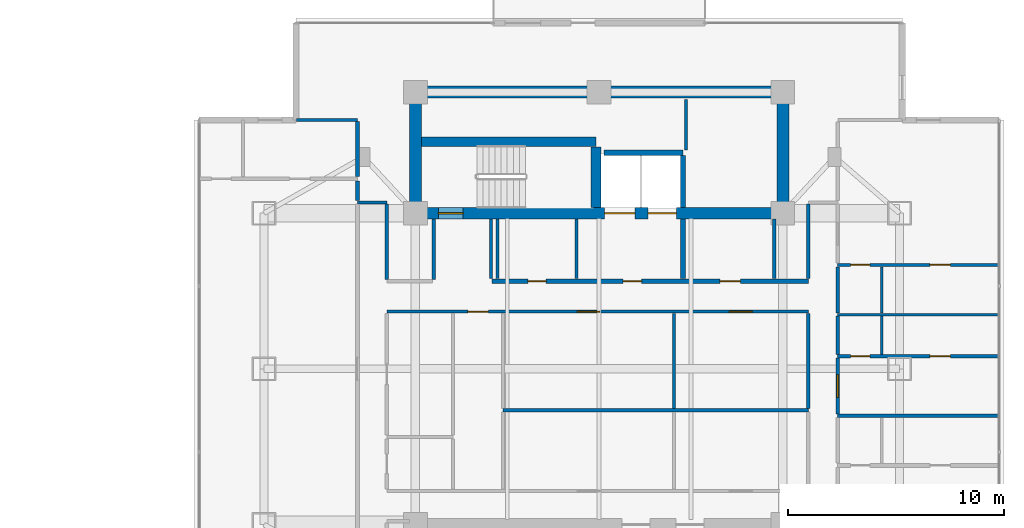
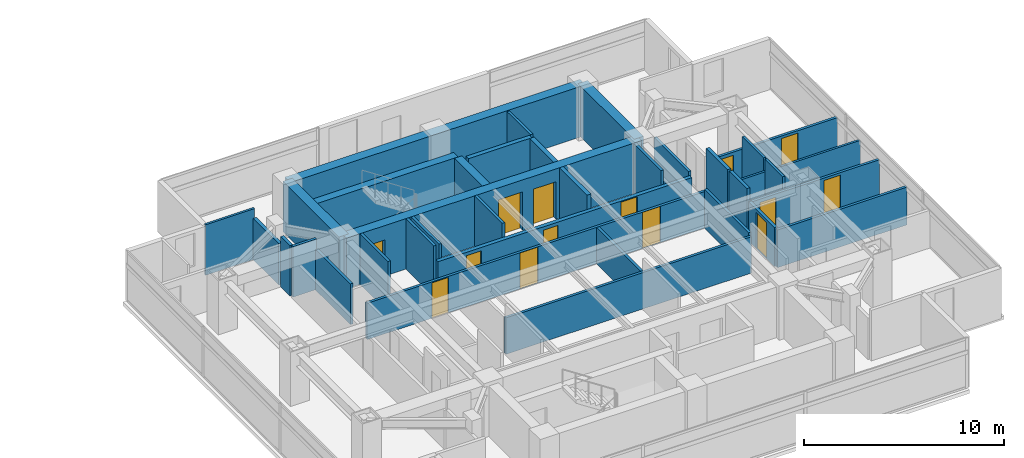
# One storey, part 18 of 24: 35 walls, 14 doors, 14 openings.
"""IFC4 building model written with IfcOpenShell, lengths in metres."""

from ifc_helpers import new_model, si_unit, direction, frame, frame_2d, origin, place, context, subcontext, project, spatial, rectangle, extrude, material, layer, layer_set, type_object, element, fill, save


model = new_model("IFC4")

# Units and contexts
model_context = context("Model", 3, precision=1e-05, world=origin(), true_north=direction((0.0, 1.0)))
body_context = subcontext(model_context, "Body", "Model", "MODEL_VIEW")
ifc_project = project(units=[si_unit("LENGTHUNIT", "METRE"), si_unit("AREAUNIT", "SQUARE_METRE"), si_unit("VOLUMEUNIT", "CUBIC_METRE"), si_unit("PLANEANGLEUNIT", "RADIAN"), si_unit("MASSUNIT", "GRAM", prefix="KILO")], contexts=[model_context])

# Site, building, storey
site_placement = place(None, origin())
site = spatial("IfcSite", under=ifc_project, at=site_placement, CompositionType="ELEMENT")
building_placement = place(site_placement, origin())
building = spatial("IfcBuilding", under=site, at=building_placement, Name="Mirazonda Arch Towers", CompositionType="ELEMENT")
storey_placement = place(building_placement, frame((0.0, 0.0, 141.199951171875)))
storey = spatial("IfcBuildingStorey", under=building, at=storey_placement, Name="L40", CompositionType="ELEMENT", Elevation=141.199951171875)

# Walls
ifc_material_1 = material(Name="Concrete C50/60", Category="concrete")
ifc_layer_1 = layer(ifc_material_1, 0.449951171875, Name="WALL-CORE-450")
ifc_layer_set_1 = layer_set([ifc_layer_1], Name="Concrete C50/60")
wall_type_1 = type_object("IfcWallType", Name="WALL-CORE-450", PredefinedType="SHEAR", material=ifc_layer_set_1)
wall_1_placement = place(storey_placement, frame((68.27001953125, 38.5, 0.0), z_axis=(0.0, 0.0, 1.0), x_axis=(1.0, 0.0, 0.0)))
element("IfcWall", 1, at=wall_1_placement, inside=storey, type_object=wall_type_1, Name="L40 Stair Core Shear Wall 055", PredefinedType="SHEAR", context=body_context, shape_type="SweptSolid", body=[
    extrude(rectangle(XDim=8.090087890625, YDim=0.449951171875, at=frame_2d((4.044921875, 0.0))), origin(), (0.0, 0.0, 1.0), 3.080078125),
])
wall_2_placement = place(storey_placement, frame((76.360107421875, 35.469970703125, 0.0), z_axis=(0.0, 0.0, 1.0), x_axis=(0.0, 1.0, 0.0)))
element("IfcWall", 2, at=wall_2_placement, inside=storey, type_object=wall_type_1, Name="L40 Stair Core Shear Wall 138", PredefinedType="SHEAR", context=body_context, shape_type="SweptSolid", body=[
    extrude(rectangle(XDim=2.794921875, YDim=0.449951171875, at=frame_2d((1.3974609375, 0.0))), origin(), (0.0, 0.0, 1.0), 3.080078125),
])
ifc_layer_2 = layer(ifc_material_1, 0.550048828125, Name="WALL-CORE-550")
ifc_layer_set_2 = layer_set([ifc_layer_2], Name="Concrete C50/60")
wall_type_2 = type_object("IfcWallType", Name="WALL-CORE-550", PredefinedType="SHEAR", material=ifc_layer_set_2)
wall_3_placement = place(storey_placement, frame((68.0, 40.800048828125, 0.0), z_axis=(0.0, 0.0, 1.0), x_axis=(1.0, 0.0, 0.0)))
element("IfcWall", 3, at=wall_3_placement, inside=storey, type_object=wall_type_2, Name="L40 T2N-N Core Shear Wall", PredefinedType="SHEAR", context=body_context, shape_type="SweptSolid", body=[
    extrude(rectangle(XDim=17.0, YDim=0.550048828125, at=frame_2d((8.5, 0.0))), origin(), (0.0, 0.0, 1.0), 3.080078125),
])
for number, where, z_axis, x_axis, name in (
    (4, (68.0, 35.199951171875, 0.0), (0.0, 0.0, 1.0), (0.0, 1.0, 0.0), "L40 T2N-W Core Shear Wall"),
    (5, (85.0, 35.199951171875, 0.0), (0.0, 0.0, 1.0), (0.0, 1.0, 0.0), "L40 T2N-E Core Shear Wall"),
):
    element("IfcWall", number, at=place(storey_placement, frame(where, z_axis=z_axis, x_axis=x_axis)), inside=storey, type_object=wall_type_2, Name=name, PredefinedType="SHEAR", context=body_context, shape_type="SweptSolid", body=[
        extrude(rectangle(XDim=5.60009765625, YDim=0.550048828125, at=frame_2d((2.800048828125, 0.0))), origin(), (0.0, 0.0, 1.0), 3.080078125),
    ])

# Wall, openings, doors
wall_4_placement = place(storey_placement, frame((68.0, 35.199951171875, 0.0), z_axis=(0.0, 0.0, 1.0), x_axis=(1.0, 0.0, 0.0)))
wall_4 = element("IfcWall", 6, at=wall_4_placement, inside=storey, type_object=wall_type_2, Name="L40 T2N-S Core Shear Wall", PredefinedType="SHEAR", context=body_context, shape_type="SweptSolid", body=[
    extrude(rectangle(XDim=17.0, YDim=0.550048828125, at=frame_2d((8.5, 0.0))), origin(), (0.0, 0.0, 1.0), 3.080078125),
])
opening_1_placement = place(wall_4_placement, frame((1.06005859375, 0.0, 0.0)))
opening_1 = element("IfcOpeningElement", 7, at=opening_1_placement, cuts=wall_4, Name="Opening DR-135", PredefinedType="OPENING", context=body_context, shape_type="SweptSolid", body=[
    extrude(rectangle(XDim=1.14990234375, YDim=2.199951171875, at=frame_2d((0.574951171875, 1.10009765625))), frame((0.0, 0.284912109375, 0.0), z_axis=(0.0, -1.0, 0.0), x_axis=(1.0, 0.0, 0.0)), (0.0, 0.0, 1.0), 0.570068359375),
])
opening_2_placement = place(wall_4_placement, frame((8.75, 0.0, 0.0)))
opening_2 = element("IfcOpeningElement", 8, at=opening_2_placement, cuts=wall_4, Name="Opening LD-112", PredefinedType="OPENING", context=body_context, shape_type="SweptSolid", body=[
    extrude(rectangle(XDim=1.39990234375, YDim=2.35009765625, at=frame_2d((0.699951171875, 1.175048828125))), frame((0.0, 0.284912109375, 0.0), z_axis=(0.0, -1.0, 0.0), x_axis=(1.0, 0.0, 0.0)), (0.0, 0.0, 1.0), 0.570068359375),
])
opening_3_placement = place(wall_4_placement, frame((10.77001953125, 0.0, 0.0)))
opening_3 = element("IfcOpeningElement", 9, at=opening_3_placement, cuts=wall_4, Name="Opening LD-111", PredefinedType="OPENING", context=body_context, shape_type="SweptSolid", body=[
    extrude(rectangle(XDim=1.300048828125, YDim=2.300048828125, at=frame_2d((0.64990234375, 1.14990234375))), frame((0.0, 0.284912109375, 0.0), z_axis=(0.0, -1.0, 0.0), x_axis=(1.0, 0.0, 0.0)), (0.0, 0.0, 1.0), 0.570068359375),
])
ifc_material_2 = material(Name="Architectural Brushed Steel S355", Category="steel")
door_type_1 = type_object("IfcDoorType", Name="DOOR-LIFT-FFL-1400", OperationType="NOTDEFINED", PredefinedType="DOOR", material=ifc_material_2)
door_1_placement = place(opening_2_placement, origin())
door_1 = element("IfcDoor", 10, at=door_1_placement, inside=storey, type_object=door_type_1, Name="L40 Lift Landing Sliding Door FFL-T2", OperationType="DOUBLE_DOOR_SLIDING", OverallHeight=2.35009765625, OverallWidth=1.39990234375, PredefinedType="DOOR", context=body_context, shape_type="SweptSolid", body=[
    extrude(rectangle(XDim=1.39990234375, YDim=2.35009765625, at=frame_2d((0.699951171875, 1.175048828125))), frame((0.0, 0.02490234375, 0.0), z_axis=(0.0, -1.0, 0.0), x_axis=(1.0, 0.0, 0.0)), (0.0, 0.0, 1.0), 0.050048828125),
])
fill(opening_2, door_1)
door_type_2 = type_object("IfcDoorType", Name="DOOR-LIFT-LAND-1300", OperationType="NOTDEFINED", PredefinedType="DOOR", material=ifc_material_2)
door_2_placement = place(opening_3_placement, origin())
door_2 = element("IfcDoor", 11, at=door_2_placement, inside=storey, type_object=door_type_2, Name="L40 Lift Landing Sliding Door SVL-T2", OperationType="DOUBLE_DOOR_SLIDING", OverallHeight=2.300048828125, OverallWidth=1.300048828125, PredefinedType="DOOR", context=body_context, shape_type="SweptSolid", body=[
    extrude(rectangle(XDim=1.300048828125, YDim=2.300048828125, at=frame_2d((0.64990234375, 1.14990234375))), frame((0.0, 0.02490234375, 0.0), z_axis=(0.0, -1.0, 0.0), x_axis=(1.0, 0.0, 0.0)), (0.0, 0.0, 1.0), 0.050048828125),
])
fill(opening_3, door_2)
door_type_3 = type_object("IfcDoorType", Name="DOOR-STAIR-FD90-1150", OperationType="NOTDEFINED", PredefinedType="DOOR", material=ifc_material_2)
door_3_placement = place(opening_1_placement, origin())
door_3 = element("IfcDoor", 12, at=door_3_placement, inside=storey, type_object=door_type_3, Name="L40 East Protected Stair North Door", OperationType="SINGLE_SWING_LEFT", OverallHeight=2.199951171875, OverallWidth=1.14990234375, PredefinedType="DOOR", context=body_context, shape_type="SweptSolid", body=[
    extrude(rectangle(XDim=1.14990234375, YDim=2.199951171875, at=frame_2d((0.574951171875, 1.10009765625))), frame((0.0, 0.02490234375, 0.0), z_axis=(0.0, -1.0, 0.0), x_axis=(1.0, 0.0, 0.0)), (0.0, 0.0, 1.0), 0.050048828125),
])
fill(opening_1, door_3)

ifc_material_3 = material(Name="Concrete C40/50", Category="concrete")
ifc_layer_3 = layer(ifc_material_3, 0.219970703125, Name="WALL-FFL-220")
ifc_layer_set_3 = layer_set([ifc_layer_3], Name="Concrete C40/50")
wall_type_3 = type_object("IfcWallType", Name="WALL-FFL-220", PredefinedType="SOLIDWALL", material=ifc_layer_set_3)
wall_5_placement = place(storey_placement, frame((71.550048828125, 32.050048828125, 0.0), z_axis=(0.0, 0.0, 1.0), x_axis=(1.0, 0.0, 0.0)))
wall_5 = element("IfcWall", 13, at=wall_5_placement, inside=storey, type_object=wall_type_3, Name="L40 Interior Partition 043", PredefinedType="SOLIDWALL", context=body_context, shape_type="SweptSolid", body=[
    extrude(rectangle(XDim=14.6298828125, YDim=0.219970703125, at=frame_2d((7.31494140625, 0.0))), origin(), (0.0, 0.0, 1.0), 2.216064453125),
])
opening_4_placement = place(wall_5_placement, frame((6.06494140625, 0.0, 0.0)))
opening_4 = element("IfcOpeningElement", 14, at=opening_4_placement, cuts=wall_5, Name="Opening DR-128", PredefinedType="OPENING", context=body_context, shape_type="SweptSolid", body=[
    extrude(rectangle(XDim=0.85009765625, YDim=2.010009765625, at=frame_2d((0.425048828125, 1.0048828125))), frame((0.0, 0.119873046875, 0.0), z_axis=(0.0, -1.0, 0.0), x_axis=(1.0, 0.0, 0.0)), (0.0, 0.0, 1.0), 0.239990234375),
])
opening_5_placement = place(wall_5_placement, frame((10.534912109375, 0.0, 0.0)))
opening_5 = element("IfcOpeningElement", 15, at=opening_5_placement, cuts=wall_5, Name="Opening DR-104", PredefinedType="OPENING", context=body_context, shape_type="SweptSolid", body=[
    extrude(rectangle(XDim=0.949951171875, YDim=2.14990234375, at=frame_2d((0.47509765625, 1.074951171875))), frame((0.0, 0.119873046875, 0.0), z_axis=(0.0, -1.0, 0.0), x_axis=(1.0, 0.0, 0.0)), (0.0, 0.0, 1.0), 0.239990234375),
])
opening_6_placement = place(wall_5_placement, frame((1.64990234375, 0.0, 0.0)))
opening_6 = element("IfcOpeningElement", 16, at=opening_6_placement, cuts=wall_5, Name="Opening DR-128", PredefinedType="OPENING", context=body_context, shape_type="SweptSolid", body=[
    extrude(rectangle(XDim=0.85009765625, YDim=2.010009765625, at=frame_2d((0.425048828125, 1.0048828125))), frame((0.0, 0.119873046875, 0.0), z_axis=(0.0, -1.0, 0.0), x_axis=(1.0, 0.0, 0.0)), (0.0, 0.0, 1.0), 0.239990234375),
])
door_type_4 = type_object("IfcDoorType", Name="DOOR-RISER-FD60-850", OperationType="NOTDEFINED", PredefinedType="DOOR", material=ifc_material_2)
door_4_placement = place(opening_4_placement, origin())
door_4 = element("IfcDoor", 17, at=door_4_placement, inside=storey, type_object=door_type_4, Name="L40 East Firefighting Lift Lobby Door", OperationType="SINGLE_SWING_RIGHT", OverallHeight=2.010009765625, OverallWidth=0.85009765625, PredefinedType="DOOR", context=body_context, shape_type="SweptSolid", body=[
    extrude(rectangle(XDim=0.85009765625, YDim=2.010009765625, at=frame_2d((0.425048828125, 1.0048828125))), frame((0.0, 0.02490234375, 0.0), z_axis=(0.0, -1.0, 0.0), x_axis=(1.0, 0.0, 0.0)), (0.0, 0.0, 1.0), 0.050048828125),
])
fill(opening_4, door_4)
door_5_placement = place(opening_6_placement, origin())
door_5 = element("IfcDoor", 18, at=door_5_placement, inside=storey, type_object=door_type_4, Name="L40 Tower 2 Housekeeping & Linen Room Door", OperationType="SINGLE_SWING_RIGHT", OverallHeight=2.010009765625, OverallWidth=0.85009765625, PredefinedType="DOOR", context=body_context, shape_type="SweptSolid", body=[
    extrude(rectangle(XDim=0.85009765625, YDim=2.010009765625, at=frame_2d((0.425048828125, 1.0048828125))), frame((0.0, 0.02490234375, 0.0), z_axis=(0.0, -1.0, 0.0), x_axis=(1.0, 0.0, 0.0)), (0.0, 0.0, 1.0), 0.050048828125),
])
fill(opening_6, door_5)
door_type_5 = type_object("IfcDoorType", Name="DOOR-ROOM-950", OperationType="NOTDEFINED", PredefinedType="DOOR", material=ifc_material_2)
door_6_placement = place(opening_5_placement, origin())
door_6 = element("IfcDoor", 19, at=door_6_placement, inside=storey, type_object=door_type_5, Name="L40 East Sky Reading Library Door", OperationType="SINGLE_SWING_LEFT", OverallHeight=2.14990234375, OverallWidth=0.949951171875, PredefinedType="DOOR", context=body_context, shape_type="SweptSolid", body=[
    extrude(rectangle(XDim=0.949951171875, YDim=2.14990234375, at=frame_2d((0.47509765625, 1.074951171875))), frame((0.0, 0.02490234375, 0.0), z_axis=(0.0, -1.0, 0.0), x_axis=(1.0, 0.0, 0.0)), (0.0, 0.0, 1.0), 0.050048828125),
])
fill(opening_5, door_6)

# Walls
wall_6_placement = place(storey_placement, frame((80.3798828125, 32.169921875, 0.0), z_axis=(0.0, 0.0, 1.0), x_axis=(0.0, 1.0, 0.0)))
element("IfcWall", 20, at=wall_6_placement, inside=storey, type_object=wall_type_3, Name="L40 Interior Partition 142", PredefinedType="SOLIDWALL", context=body_context, shape_type="SweptSolid", body=[
    extrude(rectangle(XDim=2.760009765625, YDim=0.219970703125, at=frame_2d((1.3798828125, 0.0))), origin(), (0.0, 0.0, 1.0), 3.080078125),
])
ifc_material_4 = material(Name="Fire-Rated Gypsum Stud Partition")
ifc_layer_4 = layer(ifc_material_4, 0.14990234375, Name="WALL-PART-CORR-150")
ifc_layer_set_4 = layer_set([ifc_layer_4], Name="Fire-Rated Gypsum Stud Partition")
wall_type_4 = type_object("IfcWallType", Name="WALL-PART-CORR-150", PredefinedType="PARTITIONING", material=ifc_layer_set_4)
wall_7_placement = place(storey_placement, frame((87.5400390625, 25.833984375, 0.0), z_axis=(0.0, 0.0, 1.0), x_axis=(1.0, 0.0, 0.0)))
element("IfcWall", 21, at=wall_7_placement, inside=storey, type_object=wall_type_4, Name="L40 Interior Partition 031", PredefinedType="PARTITIONING", context=body_context, shape_type="SweptSolid", body=[
    extrude(rectangle(XDim=7.470947265625, YDim=0.14990234375, at=frame_2d((3.7353515625, 0.0))), origin(), (0.0, 0.0, 1.0), 2.299072265625),
])
wall_8_placement = place(storey_placement, frame((72.050048828125, 26.0849609375, 0.0), z_axis=(0.0, 0.0, 1.0), x_axis=(1.0, 0.0, 0.0)))
element("IfcWall", 22, at=wall_8_placement, inside=storey, type_object=wall_type_4, Name="L40 Interior Partition 032", PredefinedType="PARTITIONING", context=body_context, shape_type="SweptSolid", body=[
    extrude(rectangle(XDim=14.1298828125, YDim=0.14990234375, at=frame_2d((7.06494140625, 0.0))), origin(), (0.0, 0.0, 1.0), 2.216064453125),
])

# Wall, openings, doors
wall_9_placement = place(storey_placement, frame((87.5400390625, 28.587890625, 0.0), z_axis=(0.0, 0.0, 1.0), x_axis=(1.0, 0.0, 0.0)))
wall_9 = element("IfcWall", 23, at=wall_9_placement, inside=storey, type_object=wall_type_4, Name="L40 Interior Partition 037", PredefinedType="PARTITIONING", context=body_context, shape_type="SweptSolid", body=[
    extrude(rectangle(XDim=7.470947265625, YDim=0.14990234375, at=frame_2d((3.7353515625, 0.0))), origin(), (0.0, 0.0, 1.0), 2.299072265625),
])
opening_7_placement = place(wall_9_placement, frame((4.260498046875, 0.0, 0.0)))
opening_7 = element("IfcOpeningElement", 24, at=opening_7_placement, cuts=wall_9, Name="Opening DR-104", PredefinedType="OPENING", context=body_context, shape_type="SweptSolid", body=[
    extrude(rectangle(XDim=0.949951171875, YDim=2.14990234375, at=frame_2d((0.47509765625, 1.074951171875))), frame((0.0, 0.0849609375, 0.0), z_axis=(0.0, -1.0, 0.0), x_axis=(1.0, 0.0, 0.0)), (0.0, 0.0, 1.0), 0.169921875),
])
opening_8_placement = place(wall_9_placement, frame((0.590087890625, 0.0, 0.0)))
opening_8 = element("IfcOpeningElement", 25, at=opening_8_placement, cuts=wall_9, Name="Opening DR-120", PredefinedType="OPENING", context=body_context, shape_type="SweptSolid", body=[
    extrude(rectangle(XDim=0.89990234375, YDim=2.10009765625, at=frame_2d((0.449951171875, 1.050048828125))), frame((0.0, 0.0849609375, 0.0), z_axis=(0.0, -1.0, 0.0), x_axis=(1.0, 0.0, 0.0)), (0.0, 0.0, 1.0), 0.169921875),
])
door_7_placement = place(opening_7_placement, origin())
door_7 = element("IfcDoor", 26, at=door_7_placement, inside=storey, type_object=door_type_5, Name="L40 Guestroom Study 2 Door", OperationType="SINGLE_SWING_RIGHT", OverallHeight=2.14990234375, OverallWidth=0.949951171875, PredefinedType="DOOR", context=body_context, shape_type="SweptSolid", body=[
    extrude(rectangle(XDim=0.949951171875, YDim=2.14990234375, at=frame_2d((0.47509765625, 1.074951171875))), frame((0.0, 0.02490234375, 0.0), z_axis=(0.0, -1.0, 0.0), x_axis=(1.0, 0.0, 0.0)), (0.0, 0.0, 1.0), 0.050048828125),
])
fill(opening_7, door_7)
door_type_6 = type_object("IfcDoorType", Name="DOOR-WC-900", OperationType="NOTDEFINED", PredefinedType="DOOR", material=ifc_material_2)
door_8_placement = place(opening_8_placement, origin())
door_8 = element("IfcDoor", 27, at=door_8_placement, inside=storey, type_object=door_type_6, Name="L40 En-Suite Bathroom 2 Door", OperationType="SINGLE_SWING_LEFT", OverallHeight=2.10009765625, OverallWidth=0.89990234375, PredefinedType="DOOR", context=body_context, shape_type="SweptSolid", body=[
    extrude(rectangle(XDim=0.89990234375, YDim=2.10009765625, at=frame_2d((0.449951171875, 1.050048828125))), frame((0.0, 0.02490234375, 0.0), z_axis=(0.0, -1.0, 0.0), x_axis=(1.0, 0.0, 0.0)), (0.0, 0.0, 1.0), 0.050048828125),
])
fill(opening_8, door_8)

wall_10_placement = place(storey_placement, frame((66.679931640625, 30.64990234375, 0.0), z_axis=(0.0, 0.0, 1.0), x_axis=(1.0, 0.0, 0.0)))
wall_10 = element("IfcWall", 28, at=wall_10_placement, inside=storey, type_object=wall_type_4, Name="L40 Interior Partition 039", PredefinedType="PARTITIONING", context=body_context, shape_type="SweptSolid", body=[
    extrude(rectangle(XDim=19.5, YDim=0.14990234375, at=frame_2d((9.75, 0.0))), origin(), (0.0, 0.0, 1.0), 2.216064453125),
])
opening_9_placement = place(wall_10_placement, frame((3.7451171875, 0.0, 0.0)))
opening_9 = element("IfcOpeningElement", 29, at=opening_9_placement, cuts=wall_10, Name="Opening DR-104", PredefinedType="OPENING", context=body_context, shape_type="SweptSolid", body=[
    extrude(rectangle(XDim=0.949951171875, YDim=2.14990234375, at=frame_2d((0.47509765625, 1.074951171875))), frame((0.0, 0.0849609375, 0.0), z_axis=(0.0, -1.0, 0.0), x_axis=(1.0, 0.0, 0.0)), (0.0, 0.0, 1.0), 0.169921875),
])
opening_10_placement = place(wall_10_placement, frame((8.801513671875, 0.0, 0.0)))
opening_10 = element("IfcOpeningElement", 30, at=opening_10_placement, cuts=wall_10, Name="Opening DR-121", PredefinedType="OPENING", context=body_context, shape_type="SweptSolid", body=[
    extrude(rectangle(XDim=1.050048828125, YDim=2.199951171875, at=frame_2d((0.52490234375, 1.10009765625))), frame((0.0, 0.0849609375, 0.0), z_axis=(0.0, -1.0, 0.0), x_axis=(1.0, 0.0, 0.0)), (0.0, 0.0, 1.0), 0.169921875),
])
opening_11_placement = place(wall_10_placement, frame((15.846435546875, 0.0, 0.0)))
opening_11 = element("IfcOpeningElement", 31, at=opening_11_placement, cuts=wall_10, Name="Opening DR-121", PredefinedType="OPENING", context=body_context, shape_type="SweptSolid", body=[
    extrude(rectangle(XDim=1.050048828125, YDim=2.199951171875, at=frame_2d((0.52490234375, 1.10009765625))), frame((0.0, 0.0849609375, 0.0), z_axis=(0.0, -1.0, 0.0), x_axis=(1.0, 0.0, 0.0)), (0.0, 0.0, 1.0), 0.169921875),
])
door_9_placement = place(opening_9_placement, origin())
door_9 = element("IfcDoor", 32, at=door_9_placement, inside=storey, type_object=door_type_5, Name="L40 L40 East Courtyard Study Door", OperationType="SINGLE_SWING_RIGHT", OverallHeight=2.14990234375, OverallWidth=0.949951171875, PredefinedType="DOOR", context=body_context, shape_type="SweptSolid", body=[
    extrude(rectangle(XDim=0.949951171875, YDim=2.14990234375, at=frame_2d((0.47509765625, 1.074951171875))), frame((0.0, 0.02490234375, 0.0), z_axis=(0.0, -1.0, 0.0), x_axis=(1.0, 0.0, 0.0)), (0.0, 0.0, 1.0), 0.050048828125),
])
fill(opening_9, door_9)
door_type_7 = type_object("IfcDoorType", Name="DOOR-SUITE-FD60-1050", OperationType="NOTDEFINED", PredefinedType="DOOR", material=ifc_material_2)
door_10_placement = place(opening_10_placement, origin())
door_10 = element("IfcDoor", 33, at=door_10_placement, inside=storey, type_object=door_type_7, Name="L40 Concierge Salon Door", OperationType="SINGLE_SWING_LEFT", OverallHeight=2.199951171875, OverallWidth=1.050048828125, PredefinedType="DOOR", context=body_context, shape_type="SweptSolid", body=[
    extrude(rectangle(XDim=1.050048828125, YDim=2.199951171875, at=frame_2d((0.52490234375, 1.10009765625))), frame((0.0, 0.02490234375, 0.0), z_axis=(0.0, -1.0, 0.0), x_axis=(1.0, 0.0, 0.0)), (0.0, 0.0, 1.0), 0.050048828125),
])
fill(opening_10, door_10)
door_11_placement = place(opening_11_placement, origin())
door_11 = element("IfcDoor", 34, at=door_11_placement, inside=storey, type_object=door_type_7, Name="L40 Private Meeting Suite Door", OperationType="SINGLE_SWING_RIGHT", OverallHeight=2.199951171875, OverallWidth=1.050048828125, PredefinedType="DOOR", context=body_context, shape_type="SweptSolid", body=[
    extrude(rectangle(XDim=1.050048828125, YDim=2.199951171875, at=frame_2d((0.52490234375, 1.10009765625))), frame((0.0, 0.02490234375, 0.0), z_axis=(0.0, -1.0, 0.0), x_axis=(1.0, 0.0, 0.0)), (0.0, 0.0, 1.0), 0.050048828125),
])
fill(opening_11, door_11)

wall_11_placement = place(storey_placement, frame((87.5400390625, 32.80810546875, 0.0), z_axis=(0.0, 0.0, 1.0), x_axis=(1.0, 0.0, 0.0)))
wall_11 = element("IfcWall", 35, at=wall_11_placement, inside=storey, type_object=wall_type_4, Name="L40 Interior Partition 044", PredefinedType="PARTITIONING", context=body_context, shape_type="SweptSolid", body=[
    extrude(rectangle(XDim=7.470947265625, YDim=0.14990234375, at=frame_2d((3.7353515625, 0.0))), origin(), (0.0, 0.0, 1.0), 2.299072265625),
])
opening_12_placement = place(wall_11_placement, frame((4.260498046875, 0.0, 0.0)))
opening_12 = element("IfcOpeningElement", 36, at=opening_12_placement, cuts=wall_11, Name="Opening DR-104", PredefinedType="OPENING", context=body_context, shape_type="SweptSolid", body=[
    extrude(rectangle(XDim=0.949951171875, YDim=2.14990234375, at=frame_2d((0.47509765625, 1.074951171875))), frame((0.0, 0.0849609375, 0.0), z_axis=(0.0, -1.0, 0.0), x_axis=(1.0, 0.0, 0.0)), (0.0, 0.0, 1.0), 0.169921875),
])
opening_13_placement = place(wall_11_placement, frame((0.590087890625, 0.0, 0.0)))
opening_13 = element("IfcOpeningElement", 37, at=opening_13_placement, cuts=wall_11, Name="Opening DR-120", PredefinedType="OPENING", context=body_context, shape_type="SweptSolid", body=[
    extrude(rectangle(XDim=0.89990234375, YDim=2.10009765625, at=frame_2d((0.449951171875, 1.050048828125))), frame((0.0, 0.0849609375, 0.0), z_axis=(0.0, -1.0, 0.0), x_axis=(1.0, 0.0, 0.0)), (0.0, 0.0, 1.0), 0.169921875),
])
door_12_placement = place(opening_12_placement, origin())
door_12 = element("IfcDoor", 38, at=door_12_placement, inside=storey, type_object=door_type_5, Name="L40 Guestroom Study 3 Door", OperationType="SINGLE_SWING_LEFT", OverallHeight=2.14990234375, OverallWidth=0.949951171875, PredefinedType="DOOR", context=body_context, shape_type="SweptSolid", body=[
    extrude(rectangle(XDim=0.949951171875, YDim=2.14990234375, at=frame_2d((0.47509765625, 1.074951171875))), frame((0.0, 0.02490234375, 0.0), z_axis=(0.0, -1.0, 0.0), x_axis=(1.0, 0.0, 0.0)), (0.0, 0.0, 1.0), 0.050048828125),
])
fill(opening_12, door_12)
door_13_placement = place(opening_13_placement, origin())
door_13 = element("IfcDoor", 39, at=door_13_placement, inside=storey, type_object=door_type_6, Name="L40 En-Suite Bathroom 3 Door", OperationType="SINGLE_SWING_RIGHT", OverallHeight=2.10009765625, OverallWidth=0.89990234375, PredefinedType="DOOR", context=body_context, shape_type="SweptSolid", body=[
    extrude(rectangle(XDim=0.89990234375, YDim=2.10009765625, at=frame_2d((0.449951171875, 1.050048828125))), frame((0.0, 0.02490234375, 0.0), z_axis=(0.0, -1.0, 0.0), x_axis=(1.0, 0.0, 0.0)), (0.0, 0.0, 1.0), 0.050048828125),
])
fill(opening_13, door_13)

# Walls
wall_12_placement = place(storey_placement, frame((65.320068359375, 35.699951171875, 0.0), z_axis=(0.0, 0.0, 1.0), x_axis=(1.0, 0.0, 0.0)))
element("IfcWall", 40, at=wall_12_placement, inside=storey, type_object=wall_type_4, Name="L40 Interior Partition 050", PredefinedType="PARTITIONING", context=body_context, shape_type="SweptSolid", body=[
    extrude(rectangle(XDim=1.35986328125, YDim=0.14990234375, at=frame_2d((0.679931640625, 0.0))), origin(), (0.0, 0.0, 1.0), 3.080078125),
])
wall_13_placement = place(storey_placement, frame((66.679931640625, 32.135009765625, 0.0), z_axis=(0.0, 0.0, 1.0), x_axis=(0.0, 1.0, 0.0)))
element("IfcWall", 41, at=wall_13_placement, inside=storey, type_object=wall_type_4, Name="L40 Interior Partition 128", PredefinedType="PARTITIONING", context=body_context, shape_type="SweptSolid", body=[
    extrude(rectangle(XDim=3.47998046875, YDim=0.14990234375, at=frame_2d((1.739990234375, 0.0))), origin(), (0.0, 0.0, 1.0), 2.47216796875),
])
wall_14_placement = place(storey_placement, frame((68.85009765625, 32.135009765625, 0.0), z_axis=(0.0, 0.0, 1.0), x_axis=(0.0, 1.0, 0.0)))
element("IfcWall", 42, at=wall_14_placement, inside=storey, type_object=wall_type_4, Name="L40 Interior Partition 129", PredefinedType="PARTITIONING", context=body_context, shape_type="SweptSolid", body=[
    extrude(rectangle(XDim=2.794921875, YDim=0.14990234375, at=frame_2d((1.3974609375, 0.0))), origin(), (0.0, 0.0, 1.0), 3.080078125),
])
for number, where, z_axis, x_axis, name in (
    (43, (71.5, 32.169921875, 0.0), (0.0, 0.0, 1.0), (0.0, 1.0, 0.0), "L40 Interior Partition 132"),
    (44, (71.800048828125, 32.169921875, 0.0), (0.0, 0.0, 1.0), (0.0, 1.0, 0.0), "L40 Interior Partition 133"),
    (45, (75.449951171875, 32.169921875, 0.0), (0.0, 0.0, 1.0), (0.0, 1.0, 0.0), "L40 Interior Partition 136"),
):
    element("IfcWall", number, at=place(storey_placement, frame(where, z_axis=z_axis, x_axis=x_axis)), inside=storey, type_object=wall_type_4, Name=name, PredefinedType="PARTITIONING", context=body_context, shape_type="SweptSolid", body=[
        extrude(rectangle(XDim=2.760009765625, YDim=0.14990234375, at=frame_2d((1.3798828125, 0.0))), origin(), (0.0, 0.0, 1.0), 3.080078125),
    ])
wall_15_placement = place(storey_placement, frame((79.962890625, 26.169921875, 0.0), z_axis=(0.0, 0.0, 1.0), x_axis=(0.0, 1.0, 0.0)))
element("IfcWall", 46, at=wall_15_placement, inside=storey, type_object=wall_type_4, Name="L40 Interior Partition 141", PredefinedType="PARTITIONING", context=body_context, shape_type="SweptSolid", body=[
    extrude(rectangle(XDim=4.39501953125, YDim=0.14990234375, at=frame_2d((2.197509765625, 0.0))), origin(), (0.0, 0.0, 1.0), 2.216064453125),
])
wall_16_placement = place(storey_placement, frame((80.52001953125, 38.135009765625, 0.0), z_axis=(0.0, 0.0, 1.0), x_axis=(0.0, 1.0, 0.0)))
element("IfcWall", 47, at=wall_16_placement, inside=storey, type_object=wall_type_4, Name="L40 Interior Partition 144", PredefinedType="PARTITIONING", context=body_context, shape_type="SweptSolid", body=[
    extrude(rectangle(XDim=2.31494140625, YDim=0.14990234375, at=frame_2d((1.157470703125, 0.0))), origin(), (0.0, 0.0, 1.0), 3.080078125),
])
wall_17_placement = place(storey_placement, frame((84.60009765625, 32.169921875, 0.0), z_axis=(0.0, 0.0, 1.0), x_axis=(0.0, 1.0, 0.0)))
element("IfcWall", 48, at=wall_17_placement, inside=storey, type_object=wall_type_4, Name="L40 Interior Partition 146", PredefinedType="PARTITIONING", context=body_context, shape_type="SweptSolid", body=[
    extrude(rectangle(XDim=2.760009765625, YDim=0.14990234375, at=frame_2d((1.3798828125, 0.0))), origin(), (0.0, 0.0, 1.0), 3.080078125),
])
wall_18_placement = place(storey_placement, frame((86.179931640625, 26.169921875, 0.0), z_axis=(0.0, 0.0, 1.0), x_axis=(0.0, 1.0, 0.0)))
element("IfcWall", 49, at=wall_18_placement, inside=storey, type_object=wall_type_4, Name="L40 Interior Partition 149", PredefinedType="PARTITIONING", context=body_context, shape_type="SweptSolid", body=[
    extrude(rectangle(XDim=4.39501953125, YDim=0.14990234375, at=frame_2d((2.197509765625, 0.0))), origin(), (0.0, 0.0, 1.0), 2.3759765625),
])
wall_19_placement = place(storey_placement, frame((86.179931640625, 32.169921875, 0.0), z_axis=(0.0, 0.0, 1.0), x_axis=(0.0, 1.0, 0.0)))
element("IfcWall", 50, at=wall_19_placement, inside=storey, type_object=wall_type_4, Name="L40 Interior Partition 150", PredefinedType="PARTITIONING", context=body_context, shape_type="SweptSolid", body=[
    extrude(rectangle(XDim=3.445068359375, YDim=0.14990234375, at=frame_2d((1.72265625, 0.0))), origin(), (0.0, 0.0, 1.0), 2.47216796875),
])
ifc_material_5 = material(Name="Fire-Rated Gypsum Twin-Stud Assembly")
ifc_layer_5 = layer(ifc_material_5, 0.179931640625, Name="WALL-PART-DEMISE-180")
ifc_layer_set_5 = layer_set([ifc_layer_5], Name="Fire-Rated Gypsum Twin-Stud Assembly")
wall_type_5 = type_object("IfcWallType", Name="WALL-PART-DEMISE-180", PredefinedType="PARTITIONING", material=ifc_layer_set_5)
wall_20_placement = place(storey_placement, frame((65.320068359375, 35.784912109375, 0.0), z_axis=(0.0, 0.0, 1.0), x_axis=(0.0, 1.0, 0.0)))
element("IfcWall", 51, at=wall_20_placement, inside=storey, type_object=wall_type_5, Name="L40 Interior Partition 123", PredefinedType="PARTITIONING", context=body_context, shape_type="SweptSolid", body=[
    extrude(rectangle(XDim=0.9111328125, YDim=0.179931640625, at=frame_2d((0.45556640625, 0.0))), origin(), (0.0, 0.0, 1.0), 3.080078125),
])
wall_21_placement = place(storey_placement, frame((65.320068359375, 36.89599609375, 0.0), z_axis=(0.0, 0.0, 1.0), x_axis=(0.0, 1.0, 0.0)))
element("IfcWall", 52, at=wall_21_placement, inside=storey, type_object=wall_type_5, Name="L40 Interior Partition 124", PredefinedType="PARTITIONING", context=body_context, shape_type="SweptSolid", body=[
    extrude(rectangle(XDim=2.547607421875, YDim=0.179931640625, at=frame_2d((1.27392578125, 0.0))), origin(), (0.0, 0.0, 1.0), 2.52294921875),
])

# Wall, opening, door
wall_22_placement = place(storey_placement, frame((87.5400390625, 25.9189453125, 0.0), z_axis=(0.0, 0.0, 1.0), x_axis=(0.0, 1.0, 0.0)))
wall_22 = element("IfcWall", 53, at=wall_22_placement, inside=storey, type_object=wall_type_5, Name="L40 Interior Partition 154", PredefinedType="PARTITIONING", context=body_context, shape_type="SweptSolid", body=[
    extrude(rectangle(XDim=2.583984375, YDim=0.179931640625, at=frame_2d((1.2919921875, 0.0))), origin(), (0.0, 0.0, 1.0), 2.3759765625),
])
opening_14_placement = place(wall_22_placement, frame((0.76708984375, 0.0, 0.0)))
opening_14 = element("IfcOpeningElement", 54, at=opening_14_placement, cuts=wall_22, Name="Opening DR-121", PredefinedType="OPENING", context=body_context, shape_type="SweptSolid", body=[
    extrude(rectangle(XDim=1.050048828125, YDim=2.199951171875, at=frame_2d((0.52490234375, 1.10009765625))), frame((0.0, 0.099853515625, 0.0), z_axis=(0.0, -1.0, 0.0), x_axis=(1.0, 0.0, 0.0)), (0.0, 0.0, 1.0), 0.199951171875),
])
door_14_placement = place(opening_14_placement, origin())
door_14 = element("IfcDoor", 55, at=door_14_placement, inside=storey, type_object=door_type_7, Name="L40 Twin Hotel Guestroom 2 Door", OperationType="SINGLE_SWING_LEFT", OverallHeight=2.199951171875, OverallWidth=1.050048828125, PredefinedType="DOOR", context=body_context, shape_type="SweptSolid", body=[
    extrude(rectangle(XDim=1.050048828125, YDim=2.199951171875, at=frame_2d((0.52490234375, 1.10009765625))), frame((0.0, 0.02490234375, 0.0), z_axis=(0.0, -1.0, 0.0), x_axis=(1.0, 0.0, 0.0)), (0.0, 0.0, 1.0), 0.050048828125),
])
fill(opening_14, door_14)

# Walls
wall_23_placement = place(storey_placement, frame((87.5400390625, 28.673095703125, 0.0), z_axis=(0.0, 0.0, 1.0), x_axis=(0.0, 1.0, 0.0)))
element("IfcWall", 56, at=wall_23_placement, inside=storey, type_object=wall_type_5, Name="L40 Interior Partition 155", PredefinedType="PARTITIONING", context=body_context, shape_type="SweptSolid", body=[
    extrude(rectangle(XDim=1.762451171875, YDim=0.179931640625, at=frame_2d((0.88134765625, 0.0))), origin(), (0.0, 0.0, 1.0), 3.080078125),
])
wall_24_placement = place(storey_placement, frame((87.5400390625, 30.58056640625, 0.0), z_axis=(0.0, 0.0, 1.0), x_axis=(0.0, 1.0, 0.0)))
element("IfcWall", 57, at=wall_24_placement, inside=storey, type_object=wall_type_5, Name="L40 Interior Partition 156", PredefinedType="PARTITIONING", context=body_context, shape_type="SweptSolid", body=[
    extrude(rectangle(XDim=2.142333984375, YDim=0.179931640625, at=frame_2d((1.0712890625, 0.0))), origin(), (0.0, 0.0, 1.0), 3.080078125),
])
ifc_material_6 = material(Name="Acoustic Fire-Rated Gypsum Partition")
ifc_layer_6 = layer(ifc_material_6, 0.125, Name="WALL-PART-UNIT-125")
ifc_layer_set_6 = layer_set([ifc_layer_6], Name="Acoustic Fire-Rated Gypsum Partition")
wall_type_6 = type_object("IfcWallType", Name="WALL-PART-UNIT-125", PredefinedType="PARTITIONING", material=ifc_layer_set_6)
wall_25_placement = place(storey_placement, frame((87.5400390625, 30.508056640625, 0.0), z_axis=(0.0, 0.0, 1.0), x_axis=(1.0, 0.0, 0.0)))
element("IfcWall", 58, at=wall_25_placement, inside=storey, type_object=wall_type_6, Name="L40 Interior Partition 040", PredefinedType="PARTITIONING", context=body_context, shape_type="SweptSolid", body=[
    extrude(rectangle(XDim=7.470947265625, YDim=0.125, at=frame_2d((3.7353515625, 0.0))), origin(), (0.0, 0.0, 1.0), 2.299072265625),
])
wall_26_placement = place(storey_placement, frame((62.49560546875, 39.51611328125, 0.0), z_axis=(0.0, 0.0, 1.0), x_axis=(1.0, 0.0, 0.0)))
element("IfcWall", 59, at=wall_26_placement, inside=storey, type_object=wall_type_6, Name="L40 Interior Partition 056", PredefinedType="PARTITIONING", context=body_context, shape_type="SweptSolid", body=[
    extrude(rectangle(XDim=2.824462890625, YDim=0.125, at=frame_2d((1.412109375, 0.0))), origin(), (0.0, 0.0, 1.0), 3.080078125),
])
wall_27_placement = place(storey_placement, frame((89.580078125, 28.673095703125, 0.0), z_axis=(0.0, 0.0, 1.0), x_axis=(0.0, 1.0, 0.0)))
element("IfcWall", 60, at=wall_27_placement, inside=storey, type_object=wall_type_6, Name="L40 Interior Partition 160", PredefinedType="PARTITIONING", context=body_context, shape_type="SweptSolid", body=[
    extrude(rectangle(XDim=1.762451171875, YDim=0.125, at=frame_2d((0.88134765625, 0.0))), origin(), (0.0, 0.0, 1.0), 3.080078125),
])
wall_28_placement = place(storey_placement, frame((89.580078125, 30.58056640625, 0.0), z_axis=(0.0, 0.0, 1.0), x_axis=(0.0, 1.0, 0.0)))
element("IfcWall", 61, at=wall_28_placement, inside=storey, type_object=wall_type_6, Name="L40 Interior Partition 161", PredefinedType="PARTITIONING", context=body_context, shape_type="SweptSolid", body=[
    extrude(rectangle(XDim=2.142333984375, YDim=0.125, at=frame_2d((1.0712890625, 0.0))), origin(), (0.0, 0.0, 1.0), 3.080078125),
])
ifc_layer_7 = layer(ifc_material_3, 0.25, Name="WALL-SHAFT-250")
ifc_layer_set_7 = layer_set([ifc_layer_7], Name="Concrete C40/50")
wall_type_7 = type_object("IfcWallType", Name="WALL-SHAFT-250", PredefinedType="SOLIDWALL", material=ifc_layer_set_7)
wall_29_placement = place(storey_placement, frame((76.719970703125, 38.0, 0.0), z_axis=(0.0, 0.0, 1.0), x_axis=(1.0, 0.0, 0.0)))
element("IfcWall", 62, at=wall_29_placement, inside=storey, type_object=wall_type_7, Name="L40 Interior Partition 054", PredefinedType="SOLIDWALL", context=body_context, shape_type="SweptSolid", body=[
    extrude(rectangle(XDim=3.659912109375, YDim=0.25, at=frame_2d((1.830078125, 0.0))), origin(), (0.0, 0.0, 1.0), 3.080078125),
])
wall_30_placement = place(storey_placement, frame((80.3798828125, 35.469970703125, 0.0), z_axis=(0.0, 0.0, 1.0), x_axis=(0.0, 1.0, 0.0)))
element("IfcWall", 63, at=wall_30_placement, inside=storey, type_object=wall_type_7, Name="L40 Interior Partition 143", PredefinedType="SOLIDWALL", context=body_context, shape_type="SweptSolid", body=[
    extrude(rectangle(XDim=2.39501953125, YDim=0.25, at=frame_2d((1.197509765625, 0.0))), origin(), (0.0, 0.0, 1.0), 3.080078125),
])

save(model, "model.ifc")
